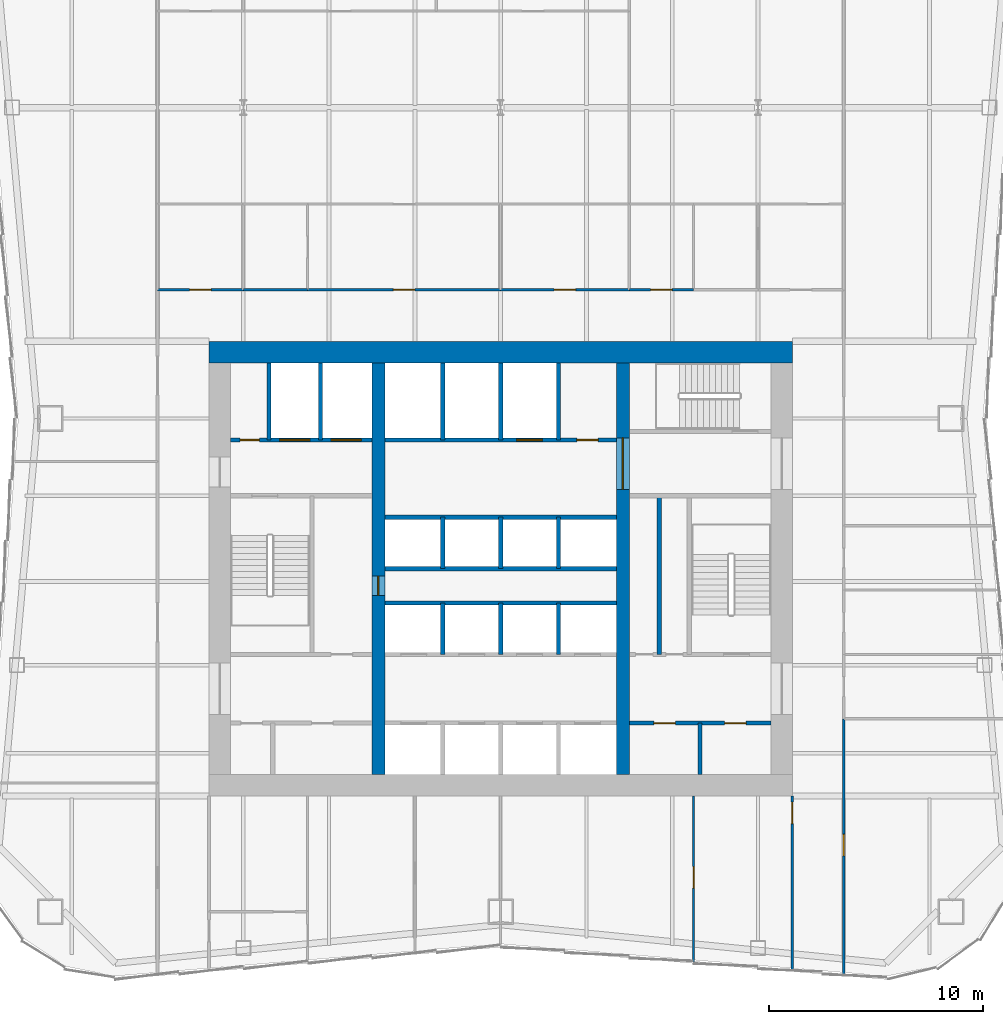
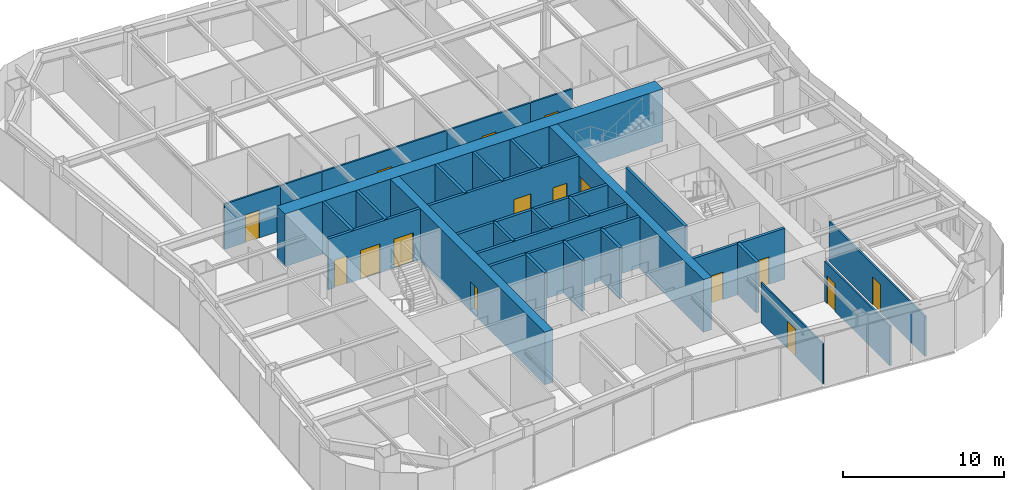
# One storey, part 5 of 9: 30 walls, 16 doors, 16 openings.
"""IFC4 building model written with IfcOpenShell, lengths in metres."""

from ifc_helpers import new_model, si_unit, direction, frame, frame_2d, origin, place, context, subcontext, project, spatial, rectangle, extrude, material, layer, layer_set, type_object, element, fill, save


model = new_model("IFC4")

# Units and contexts
model_context = context("Model", 3, precision=1e-05, world=origin(), true_north=direction((0.0, 1.0)))
body_context = subcontext(model_context, "Body", "Model", "MODEL_VIEW")
ifc_project = project(units=[si_unit("LENGTHUNIT", "METRE"), si_unit("AREAUNIT", "SQUARE_METRE"), si_unit("VOLUMEUNIT", "CUBIC_METRE"), si_unit("PLANEANGLEUNIT", "RADIAN"), si_unit("MASSUNIT", "GRAM", prefix="KILO")], contexts=[model_context])

# Site, building, storey
site_placement = place(None, origin())
site = spatial("IfcSite", under=ifc_project, at=site_placement, CompositionType="ELEMENT")
building_placement = place(site_placement, origin())
building = spatial("IfcBuilding", under=site, at=building_placement, Name="Verdant Reach Tower", CompositionType="ELEMENT")
storey_placement = place(building_placement, frame((0.0, 0.0, 142.0)))
storey = spatial("IfcBuildingStorey", under=building, at=storey_placement, Name="L32", CompositionType="ELEMENT", Elevation=142.0)

# Wall, openings, doors
ifc_material_1 = material(Name="Gypsum board on steel studs", Category="steel")
ifc_layer_1 = layer(ifc_material_1, 0.199951171875)
ifc_layer_set_1 = layer_set([ifc_layer_1], Name="CO-WALL-ROOM")
wall_type_1 = type_object("IfcWallType", Name="CO-WALL-ROOM", PredefinedType="PARTITIONING", material=ifc_layer_set_1)
wall_1_placement = place(storey_placement, frame((6.0, 20.800048828125, 0.0), z_axis=(0.0, 0.0, 1.0), x_axis=(1.0, 0.0, 0.0)))
wall_1 = element("IfcWall", 1, at=wall_1_placement, inside=storey, type_object=wall_type_1, Name="Core partition, L32", PredefinedType="PARTITIONING", context=body_context, shape_type="SweptSolid", body=[
    extrude(rectangle(XDim=6.60009765625, YDim=0.199951171875, at=frame_2d((3.300048828125, 0.0))), origin(), (0.0, 0.0, 1.0), 3.8701171875),
])
opening_1_placement = place(wall_1_placement, frame((1.14990234375, 0.0, 0.0)))
opening_1 = element("IfcOpeningElement", 2, at=opening_1_placement, cuts=wall_1, Name="Opening CD", PredefinedType="OPENING", context=body_context, shape_type="SweptSolid", body=[
    extrude(rectangle(XDim=1.0, YDim=2.10009765625, at=frame_2d((0.5, 1.050048828125))), frame((0.0, 0.10986328125, 0.0), z_axis=(0.0, -1.0, 0.0), x_axis=(1.0, 0.0, 0.0)), (0.0, 0.0, 1.0), 0.219970703125),
])
opening_2_placement = place(wall_1_placement, frame((4.449951171875, 0.0, 0.0)))
opening_2 = element("IfcOpeningElement", 3, at=opening_2_placement, cuts=wall_1, Name="Opening CD", PredefinedType="OPENING", context=body_context, shape_type="SweptSolid", body=[
    extrude(rectangle(XDim=1.0, YDim=2.10009765625, at=frame_2d((0.5, 1.050048828125))), frame((0.0, 0.10986328125, 0.0), z_axis=(0.0, -1.0, 0.0), x_axis=(1.0, 0.0, 0.0)), (0.0, 0.0, 1.0), 0.219970703125),
])
ifc_material_2 = material(Name="Timber", Category="wood")
door_type_1 = type_object("IfcDoorType", Name="CO-DOOR-ROOM", OperationType="NOTDEFINED", PredefinedType="DOOR", material=ifc_material_2)
door_1_placement = place(opening_1_placement, origin())
door_1 = element("IfcDoor", 4, at=door_1_placement, inside=storey, type_object=door_type_1, Name="Core room door, L32", OperationType="SINGLE_SWING_LEFT", OverallHeight=2.10009765625, OverallWidth=1.0, PredefinedType="DOOR", context=body_context, shape_type="SweptSolid", body=[
    extrude(rectangle(XDim=1.0, YDim=2.10009765625, at=frame_2d((0.5, 1.050048828125))), frame((0.0, 0.02490234375, 0.0), z_axis=(0.0, -1.0, 0.0), x_axis=(1.0, 0.0, 0.0)), (0.0, 0.0, 1.0), 0.050048828125),
])
fill(opening_1, door_1)
door_2_placement = place(opening_2_placement, origin())
door_2 = element("IfcDoor", 5, at=door_2_placement, inside=storey, type_object=door_type_1, Name="Core room door, L32", OperationType="SINGLE_SWING_LEFT", OverallHeight=2.10009765625, OverallWidth=1.0, PredefinedType="DOOR", context=body_context, shape_type="SweptSolid", body=[
    extrude(rectangle(XDim=1.0, YDim=2.10009765625, at=frame_2d((0.5, 1.050048828125))), frame((0.0, 0.02490234375, 0.0), z_axis=(0.0, -1.0, 0.0), x_axis=(1.0, 0.0, 0.0)), (0.0, 0.0, 1.0), 0.050048828125),
])
fill(opening_2, door_2)

# Walls
wall_2_placement = place(storey_placement, frame((7.39990234375, 24.0, 0.0), z_axis=(0.0, 0.0, 1.0), x_axis=(0.0, 1.0, 0.0)))
element("IfcWall", 6, at=wall_2_placement, inside=storey, type_object=wall_type_1, Name="Core partition, L32", PredefinedType="PARTITIONING", context=body_context, shape_type="SweptSolid", body=[
    extrude(rectangle(XDim=7.39990234375, YDim=0.199951171875, at=frame_2d((3.699951171875, 0.0))), origin(), (0.0, 0.0, 1.0), 3.8701171875),
])
wall_3_placement = place(storey_placement, frame((9.300048828125, 18.39990234375, 0.0), z_axis=(0.0, 0.0, 1.0), x_axis=(0.0, 1.0, 0.0)))
element("IfcWall", 7, at=wall_3_placement, inside=storey, type_object=wall_type_1, Name="Core partition, L32", PredefinedType="PARTITIONING", context=body_context, shape_type="SweptSolid", body=[
    extrude(rectangle(XDim=2.400146484375, YDim=0.199951171875, at=frame_2d((1.2001953125, 0.0))), origin(), (0.0, 0.0, 1.0), 3.8701171875),
])
ifc_material_3 = material(Name="Concrete C40/50", Category="concrete")
ifc_layer_2 = layer(ifc_material_3, 0.199951171875)
ifc_layer_set_2 = layer_set([ifc_layer_2], Name="CO-WALL-SHAFT")
wall_type_2 = type_object("IfcWallType", Name="CO-WALL-SHAFT", PredefinedType="PARTITIONING", material=ifc_layer_set_2)
for number, where, z_axis, x_axis, name in (
    (8, (-5.39990234375, 26.39990234375, 0.0), (0.0, 0.0, 1.0), (1.0, 0.0, 0.0), "Lift shaft wall, L32"),
    (9, (-5.39990234375, 28.0, 0.0), (0.0, 0.0, 1.0), (1.0, 0.0, 0.0), "Lift shaft wall, L32"),
    (10, (-5.39990234375, 30.39990234375, 0.0), (0.0, 0.0, 1.0), (1.0, 0.0, 0.0), "Lift shaft wall, L32"),
):
    element("IfcWall", number, at=place(storey_placement, frame(where, z_axis=z_axis, x_axis=x_axis)), inside=storey, type_object=wall_type_2, Name=name, PredefinedType="PARTITIONING", context=body_context, shape_type="SweptSolid", body=[
        extrude(rectangle(XDim=10.7998046875, YDim=0.199951171875, at=frame_2d((5.39990234375, 0.0))), origin(), (0.0, 0.0, 1.0), 3.8701171875),
    ])

# Wall, openings, doors
wall_4_placement = place(storey_placement, frame((-12.60009765625, 34.0, 0.0), z_axis=(0.0, 0.0, 1.0), x_axis=(1.0, 0.0, 0.0)))
wall_4 = element("IfcWall", 11, at=wall_4_placement, inside=storey, type_object=wall_type_2, Name="Lift shaft wall, L32", PredefinedType="PARTITIONING", context=body_context, shape_type="SweptSolid", body=[
    extrude(rectangle(XDim=6.60009765625, YDim=0.199951171875, at=frame_2d((3.300048828125, 0.0))), origin(), (0.0, 0.0, 1.0), 3.8701171875),
])
opening_3_placement = place(wall_4_placement, frame((4.699951171875, 0.0, 0.0)))
opening_3 = element("IfcOpeningElement", 12, at=opening_3_placement, cuts=wall_4, Name="Opening LD-F1", PredefinedType="OPENING", context=body_context, shape_type="SweptSolid", body=[
    extrude(rectangle(XDim=1.39990234375, YDim=2.199951171875, at=frame_2d((0.699951171875, 1.10009765625))), frame((0.0, 0.10986328125, 0.0), z_axis=(0.0, -1.0, 0.0), x_axis=(1.0, 0.0, 0.0)), (0.0, 0.0, 1.0), 0.219970703125),
])
opening_4_placement = place(wall_4_placement, frame((2.300048828125, 0.0, 0.0)))
opening_4 = element("IfcOpeningElement", 13, at=opening_4_placement, cuts=wall_4, Name="Opening LD-F2", PredefinedType="OPENING", context=body_context, shape_type="SweptSolid", body=[
    extrude(rectangle(XDim=1.39990234375, YDim=2.199951171875, at=frame_2d((0.699951171875, 1.10009765625))), frame((0.0, 0.10986328125, 0.0), z_axis=(0.0, -1.0, 0.0), x_axis=(1.0, 0.0, 0.0)), (0.0, 0.0, 1.0), 0.219970703125),
])
opening_5_placement = place(wall_4_placement, frame((0.449951171875, 0.0, 0.0)))
opening_5 = element("IfcOpeningElement", 14, at=opening_5_placement, cuts=wall_4, Name="Opening RD", PredefinedType="OPENING", context=body_context, shape_type="SweptSolid", body=[
    extrude(rectangle(XDim=0.89990234375, YDim=2.10009765625, at=frame_2d((0.449951171875, 1.050048828125))), frame((0.0, 0.10986328125, 0.0), z_axis=(0.0, -1.0, 0.0), x_axis=(1.0, 0.0, 0.0)), (0.0, 0.0, 1.0), 0.219970703125),
])
ifc_material_4 = material(Name="Stainless steel", Category="steel")
door_type_2 = type_object("IfcDoorType", Name="CO-DOOR-LANDING-FF", OperationType="SLIDING_TO_LEFT", PredefinedType="DOOR", material=ifc_material_4)
door_3_placement = place(opening_3_placement, origin())
door_3 = element("IfcDoor", 15, at=door_3_placement, inside=storey, type_object=door_type_2, Name="Landing door F1, L32", OperationType="SLIDING_TO_LEFT", OverallHeight=2.199951171875, OverallWidth=1.39990234375, PredefinedType="DOOR", context=body_context, shape_type="SweptSolid", body=[
    extrude(rectangle(XDim=1.39990234375, YDim=2.199951171875, at=frame_2d((0.699951171875, 1.10009765625))), frame((0.0, 0.02490234375, 0.0), z_axis=(0.0, -1.0, 0.0), x_axis=(1.0, 0.0, 0.0)), (0.0, 0.0, 1.0), 0.050048828125),
])
fill(opening_3, door_3)
door_4_placement = place(opening_4_placement, origin())
door_4 = element("IfcDoor", 16, at=door_4_placement, inside=storey, type_object=door_type_2, Name="Landing door F2, L32", OperationType="SLIDING_TO_LEFT", OverallHeight=2.199951171875, OverallWidth=1.39990234375, PredefinedType="DOOR", context=body_context, shape_type="SweptSolid", body=[
    extrude(rectangle(XDim=1.39990234375, YDim=2.199951171875, at=frame_2d((0.699951171875, 1.10009765625))), frame((0.0, 0.02490234375, 0.0), z_axis=(0.0, -1.0, 0.0), x_axis=(1.0, 0.0, 0.0)), (0.0, 0.0, 1.0), 0.050048828125),
])
fill(opening_4, door_4)
ifc_material_5 = material(Name="Steel", Category="steel")
door_type_3 = type_object("IfcDoorType", Name="CO-DOOR-RISER", OperationType="NOTDEFINED", PredefinedType="DOOR", material=ifc_material_5)
door_5_placement = place(opening_5_placement, origin())
door_5 = element("IfcDoor", 17, at=door_5_placement, inside=storey, type_object=door_type_3, Name="Core room door, L32", OperationType="SINGLE_SWING_RIGHT", OverallHeight=2.10009765625, OverallWidth=0.89990234375, PredefinedType="DOOR", context=body_context, shape_type="SweptSolid", body=[
    extrude(rectangle(XDim=0.89990234375, YDim=2.10009765625, at=frame_2d((0.449951171875, 1.050048828125))), frame((0.0, 0.02490234375, 0.0), z_axis=(0.0, -1.0, 0.0), x_axis=(1.0, 0.0, 0.0)), (0.0, 0.0, 1.0), 0.050048828125),
])
fill(opening_5, door_5)

wall_5_placement = place(storey_placement, frame((-5.39990234375, 34.0, 0.0), z_axis=(0.0, 0.0, 1.0), x_axis=(1.0, 0.0, 0.0)))
wall_5 = element("IfcWall", 18, at=wall_5_placement, inside=storey, type_object=wall_type_2, Name="Lift shaft wall, L32", PredefinedType="PARTITIONING", context=body_context, shape_type="SweptSolid", body=[
    extrude(rectangle(XDim=10.7998046875, YDim=0.199951171875, at=frame_2d((5.39990234375, 0.0))), origin(), (0.0, 0.0, 1.0), 3.8701171875),
])
opening_6_placement = place(wall_5_placement, frame((6.14990234375, 0.0, 0.0)))
opening_6 = element("IfcOpeningElement", 19, at=opening_6_placement, cuts=wall_5, Name="Opening LD-SL1", PredefinedType="OPENING", context=body_context, shape_type="SweptSolid", body=[
    extrude(rectangle(XDim=1.199951171875, YDim=2.199951171875, at=frame_2d((0.60009765625, 1.10009765625))), frame((0.0, 0.10986328125, 0.0), z_axis=(0.0, -1.0, 0.0), x_axis=(1.0, 0.0, 0.0)), (0.0, 0.0, 1.0), 0.219970703125),
])
opening_7_placement = place(wall_5_placement, frame((8.949951171875, 0.0, 0.0)))
opening_7 = element("IfcOpeningElement", 20, at=opening_7_placement, cuts=wall_5, Name="Opening CD", PredefinedType="OPENING", context=body_context, shape_type="SweptSolid", body=[
    extrude(rectangle(XDim=1.0, YDim=2.10009765625, at=frame_2d((0.5, 1.050048828125))), frame((0.0, 0.10986328125, 0.0), z_axis=(0.0, -1.0, 0.0), x_axis=(1.0, 0.0, 0.0)), (0.0, 0.0, 1.0), 0.219970703125),
])
door_type_4 = type_object("IfcDoorType", Name="CO-DOOR-LANDING", OperationType="SLIDING_TO_LEFT", PredefinedType="DOOR", material=ifc_material_4)
door_6_placement = place(opening_6_placement, origin())
door_6 = element("IfcDoor", 21, at=door_6_placement, inside=storey, type_object=door_type_4, Name="Landing door SL1, L32", OperationType="SLIDING_TO_LEFT", OverallHeight=2.199951171875, OverallWidth=1.199951171875, PredefinedType="DOOR", context=body_context, shape_type="SweptSolid", body=[
    extrude(rectangle(XDim=1.199951171875, YDim=2.199951171875, at=frame_2d((0.60009765625, 1.10009765625))), frame((0.0, 0.02490234375, 0.0), z_axis=(0.0, -1.0, 0.0), x_axis=(1.0, 0.0, 0.0)), (0.0, 0.0, 1.0), 0.050048828125),
])
fill(opening_6, door_6)
door_7_placement = place(opening_7_placement, origin())
door_7 = element("IfcDoor", 22, at=door_7_placement, inside=storey, type_object=door_type_1, Name="Core room door, L32", OperationType="SINGLE_SWING_LEFT", OverallHeight=2.10009765625, OverallWidth=1.0, PredefinedType="DOOR", context=body_context, shape_type="SweptSolid", body=[
    extrude(rectangle(XDim=1.0, YDim=2.10009765625, at=frame_2d((0.5, 1.050048828125))), frame((0.0, 0.02490234375, 0.0), z_axis=(0.0, -1.0, 0.0), x_axis=(1.0, 0.0, 0.0)), (0.0, 0.0, 1.0), 0.050048828125),
])
fill(opening_7, door_7)

# Walls
for number, where, z_axis, x_axis, name in (
    (23, (-10.800048828125, 34.0, 0.0), (0.0, 0.0, 1.0), (0.0, 1.0, 0.0), "Lift shaft wall, L32"),
    (24, (-8.39990234375, 34.0, 0.0), (0.0, 0.0, 1.0), (0.0, 1.0, 0.0), "Lift shaft wall, L32"),
):
    element("IfcWall", number, at=place(storey_placement, frame(where, z_axis=z_axis, x_axis=x_axis)), inside=storey, type_object=wall_type_2, Name=name, PredefinedType="PARTITIONING", context=body_context, shape_type="SweptSolid", body=[
        extrude(rectangle(XDim=3.60009765625, YDim=0.199951171875, at=frame_2d((1.800048828125, 0.0))), origin(), (0.0, 0.0, 1.0), 3.8701171875),
    ])
for number, where, z_axis, x_axis, name in (
    (25, (-2.699951171875, 24.0, 0.0), (0.0, 0.0, 1.0), (0.0, 1.0, 0.0), "Lift shaft wall, L32"),
    (26, (-2.699951171875, 28.0, 0.0), (0.0, 0.0, 1.0), (0.0, 1.0, 0.0), "Lift shaft wall, L32"),
):
    element("IfcWall", number, at=place(storey_placement, frame(where, z_axis=z_axis, x_axis=x_axis)), inside=storey, type_object=wall_type_2, Name=name, PredefinedType="PARTITIONING", context=body_context, shape_type="SweptSolid", body=[
        extrude(rectangle(XDim=2.39990234375, YDim=0.199951171875, at=frame_2d((1.199951171875, 0.0))), origin(), (0.0, 0.0, 1.0), 3.8701171875),
    ])
wall_6_placement = place(storey_placement, frame((-2.699951171875, 34.0, 0.0), z_axis=(0.0, 0.0, 1.0), x_axis=(0.0, 1.0, 0.0)))
element("IfcWall", 27, at=wall_6_placement, inside=storey, type_object=wall_type_2, Name="Lift shaft wall, L32", PredefinedType="PARTITIONING", context=body_context, shape_type="SweptSolid", body=[
    extrude(rectangle(XDim=3.60009765625, YDim=0.199951171875, at=frame_2d((1.800048828125, 0.0))), origin(), (0.0, 0.0, 1.0), 3.8701171875),
])
for number, where, z_axis, x_axis, name in (
    (28, (0.0, 24.0, 0.0), (0.0, 0.0, 1.0), (0.0, 1.0, 0.0), "Lift shaft wall, L32"),
    (29, (0.0, 28.0, 0.0), (0.0, 0.0, 1.0), (0.0, 1.0, 0.0), "Lift shaft wall, L32"),
):
    element("IfcWall", number, at=place(storey_placement, frame(where, z_axis=z_axis, x_axis=x_axis)), inside=storey, type_object=wall_type_2, Name=name, PredefinedType="PARTITIONING", context=body_context, shape_type="SweptSolid", body=[
        extrude(rectangle(XDim=2.39990234375, YDim=0.199951171875, at=frame_2d((1.199951171875, 0.0))), origin(), (0.0, 0.0, 1.0), 3.8701171875),
    ])
wall_7_placement = place(storey_placement, frame((0.0, 34.0, 0.0), z_axis=(0.0, 0.0, 1.0), x_axis=(0.0, 1.0, 0.0)))
element("IfcWall", 30, at=wall_7_placement, inside=storey, type_object=wall_type_2, Name="Lift shaft wall, L32", PredefinedType="PARTITIONING", context=body_context, shape_type="SweptSolid", body=[
    extrude(rectangle(XDim=3.60009765625, YDim=0.199951171875, at=frame_2d((1.800048828125, 0.0))), origin(), (0.0, 0.0, 1.0), 3.8701171875),
])
for number, where, z_axis, x_axis, name in (
    (31, (2.699951171875, 24.0, 0.0), (0.0, 0.0, 1.0), (0.0, 1.0, 0.0), "Lift shaft wall, L32"),
    (32, (2.699951171875, 28.0, 0.0), (0.0, 0.0, 1.0), (0.0, 1.0, 0.0), "Lift shaft wall, L32"),
):
    element("IfcWall", number, at=place(storey_placement, frame(where, z_axis=z_axis, x_axis=x_axis)), inside=storey, type_object=wall_type_2, Name=name, PredefinedType="PARTITIONING", context=body_context, shape_type="SweptSolid", body=[
        extrude(rectangle(XDim=2.39990234375, YDim=0.199951171875, at=frame_2d((1.199951171875, 0.0))), origin(), (0.0, 0.0, 1.0), 3.8701171875),
    ])
wall_8_placement = place(storey_placement, frame((2.699951171875, 34.0, 0.0), z_axis=(0.0, 0.0, 1.0), x_axis=(0.0, 1.0, 0.0)))
element("IfcWall", 33, at=wall_8_placement, inside=storey, type_object=wall_type_2, Name="Lift shaft wall, L32", PredefinedType="PARTITIONING", context=body_context, shape_type="SweptSolid", body=[
    extrude(rectangle(XDim=3.60009765625, YDim=0.199951171875, at=frame_2d((1.800048828125, 0.0))), origin(), (0.0, 0.0, 1.0), 3.8701171875),
])

# Wall, opening, door
ifc_layer_3 = layer(ifc_material_1, 0.10009765625)
ifc_layer_set_3 = layer_set([ifc_layer_3], Name="FL-W1 Partition 100")
wall_type_3 = type_object("IfcWallType", Name="FL-W1 Partition 100", PredefinedType="PARTITIONING", material=ifc_layer_set_3)
wall_9_placement = place(storey_placement, frame((9.0, 9.669921875, 0.0), z_axis=(0.0, 0.0, 1.0), x_axis=(0.0, 1.0, 0.0)))
wall_9 = element("IfcWall", 34, at=wall_9_placement, inside=storey, type_object=wall_type_3, Name="Partition 32.36", PredefinedType="PARTITIONING", context=body_context, shape_type="SweptSolid", body=[
    extrude(rectangle(XDim=7.72998046875, YDim=0.10009765625, at=frame_2d((3.864990234375, 0.0))), origin(), (0.0, 0.0, 1.0), 3.0400390625),
])
opening_8_placement = place(wall_9_placement, frame((3.43017578125, 0.0, 0.0)))
opening_8 = element("IfcOpeningElement", 35, at=opening_8_placement, cuts=wall_9, Name="Opening D3", PredefinedType="OPENING", context=body_context, shape_type="SweptSolid", body=[
    extrude(rectangle(XDim=1.0, YDim=2.10009765625, at=frame_2d((0.5, 1.050048828125))), frame((0.0, 0.06005859375, 0.0), z_axis=(0.0, -1.0, 0.0), x_axis=(1.0, 0.0, 0.0)), (0.0, 0.0, 1.0), 0.1201171875),
])
ifc_material_6 = material(Name="Painted timber door leaf", Category="wood")
door_type_5 = type_object("IfcDoorType", Name="FL-D3 Door 1000x2100", OperationType="NOTDEFINED", PredefinedType="DOOR", material=ifc_material_6)
door_8_placement = place(opening_8_placement, origin())
door_8 = element("IfcDoor", 36, at=door_8_placement, inside=storey, type_object=door_type_5, Name="Door 32-019", OperationType="SINGLE_SWING_RIGHT", OverallHeight=2.10009765625, OverallWidth=1.0, PredefinedType="DOOR", context=body_context, shape_type="SweptSolid", body=[
    extrude(rectangle(XDim=1.0, YDim=2.10009765625, at=frame_2d((0.5, 1.050048828125))), frame((0.0, 0.02490234375, 0.0), z_axis=(0.0, -1.0, 0.0), x_axis=(1.0, 0.0, 0.0)), (0.0, 0.0, 1.0), 0.050048828125),
])
fill(opening_8, door_8)

ifc_material_7 = material(Name="Gypsum board on steel studs, fire rated", Category="steel")
ifc_layer_4 = layer(ifc_material_7, 0.125)
ifc_layer_set_4 = layer_set([ifc_layer_4], Name="FL-W2 Corridor wall 125")
wall_type_4 = type_object("IfcWallType", Name="FL-W2 Corridor wall 125", PredefinedType="PARTITIONING", material=ifc_layer_set_4)
wall_10_placement = place(storey_placement, frame((16.0, 21.0, 0.0), z_axis=(0.0, 0.0, 1.0), x_axis=(0.0, -1.0, 0.0)))
wall_10 = element("IfcWall", 37, at=wall_10_placement, inside=storey, type_object=wall_type_4, Name="Partition 32.04", PredefinedType="PARTITIONING", context=body_context, shape_type="SweptSolid", body=[
    extrude(rectangle(XDim=11.913330078125, YDim=0.125, at=frame_2d((5.95654296875, 0.0))), origin(), (0.0, 0.0, 1.0), 3.0400390625),
])
opening_9_placement = place(wall_10_placement, frame((5.3916015625, 0.0, 0.0)))
opening_9 = element("IfcOpeningElement", 38, at=opening_9_placement, cuts=wall_10, Name="Opening D2", PredefinedType="OPENING", context=body_context, shape_type="SweptSolid", body=[
    extrude(rectangle(XDim=1.0, YDim=2.10009765625, at=frame_2d((0.5, 1.050048828125))), frame((0.0, 0.072509765625, 0.0), z_axis=(0.0, -1.0, 0.0), x_axis=(1.0, 0.0, 0.0)), (0.0, 0.0, 1.0), 0.14501953125),
])
ifc_material_8 = material(Name="Timber door leaf, fire rated", Category="wood")
door_type_6 = type_object("IfcDoorType", Name="FL-D2 Entrance door 1000x2100 FD30", OperationType="NOTDEFINED", PredefinedType="DOOR", material=ifc_material_8)
door_9_placement = place(opening_9_placement, origin())
door_9 = element("IfcDoor", 39, at=door_9_placement, inside=storey, type_object=door_type_6, Name="Door 32-004", OperationType="SINGLE_SWING_LEFT", OverallHeight=2.10009765625, OverallWidth=1.0, PredefinedType="DOOR", context=body_context, shape_type="SweptSolid", body=[
    extrude(rectangle(XDim=1.0, YDim=2.10009765625, at=frame_2d((0.5, 1.050048828125))), frame((0.0, 0.02490234375, 0.0), z_axis=(0.0, -1.0, 0.0), x_axis=(1.0, 0.0, 0.0)), (0.0, 0.0, 1.0), 0.050048828125),
])
fill(opening_9, door_9)

wall_11_placement = place(storey_placement, frame((13.60009765625, 9.28662109375, 0.0), z_axis=(0.0, 0.0, 1.0), x_axis=(0.0, 1.0, 0.0)))
wall_11 = element("IfcWall", 40, at=wall_11_placement, inside=storey, type_object=wall_type_4, Name="Partition 32.11", PredefinedType="PARTITIONING", context=body_context, shape_type="SweptSolid", body=[
    extrude(rectangle(XDim=8.11328125, YDim=0.125, at=frame_2d((4.056640625, 0.0))), origin(), (0.0, 0.0, 1.0), 3.0400390625),
])
opening_10_placement = place(wall_11_placement, frame((6.82177734375, 0.0, 0.0)))
opening_10 = element("IfcOpeningElement", 41, at=opening_10_placement, cuts=wall_11, Name="Opening D2", PredefinedType="OPENING", context=body_context, shape_type="SweptSolid", body=[
    extrude(rectangle(XDim=1.0, YDim=2.10009765625, at=frame_2d((0.5, 1.050048828125))), frame((0.0, 0.072509765625, 0.0), z_axis=(0.0, -1.0, 0.0), x_axis=(1.0, 0.0, 0.0)), (0.0, 0.0, 1.0), 0.14501953125),
])
door_10_placement = place(opening_10_placement, origin())
door_10 = element("IfcDoor", 42, at=door_10_placement, inside=storey, type_object=door_type_6, Name="Door 32-010", OperationType="SINGLE_SWING_RIGHT", OverallHeight=2.10009765625, OverallWidth=1.0, PredefinedType="DOOR", context=body_context, shape_type="SweptSolid", body=[
    extrude(rectangle(XDim=1.0, YDim=2.10009765625, at=frame_2d((0.5, 1.050048828125))), frame((0.0, 0.02490234375, 0.0), z_axis=(0.0, -1.0, 0.0), x_axis=(1.0, 0.0, 0.0)), (0.0, 0.0, 1.0), 0.050048828125),
])
fill(opening_10, door_10)

wall_12_placement = place(storey_placement, frame((-16.0, 41.0, 0.0), z_axis=(0.0, 0.0, 1.0), x_axis=(1.0, 0.0, 0.0)))
wall_12 = element("IfcWall", 43, at=wall_12_placement, inside=storey, type_object=wall_type_4, Name="Partition 32.12", PredefinedType="PARTITIONING", context=body_context, shape_type="SweptSolid", body=[
    extrude(rectangle(XDim=4.0, YDim=0.125, at=frame_2d((2.0, 0.0))), origin(), (0.0, 0.0, 1.0), 3.43994140625),
])
opening_11_placement = place(wall_12_placement, frame((1.5, 0.0, 0.0)))
opening_11 = element("IfcOpeningElement", 44, at=opening_11_placement, cuts=wall_12, Name="Opening D2", PredefinedType="OPENING", context=body_context, shape_type="SweptSolid", body=[
    extrude(rectangle(XDim=1.0, YDim=2.10009765625, at=frame_2d((0.5, 1.050048828125))), frame((0.0, 0.072509765625, 0.0), z_axis=(0.0, -1.0, 0.0), x_axis=(1.0, 0.0, 0.0)), (0.0, 0.0, 1.0), 0.14501953125),
])
door_11_placement = place(opening_11_placement, origin())
door_11 = element("IfcDoor", 45, at=door_11_placement, inside=storey, type_object=door_type_6, Name="Door 32-011", OperationType="SINGLE_SWING_LEFT", OverallHeight=2.10009765625, OverallWidth=1.0, PredefinedType="DOOR", context=body_context, shape_type="SweptSolid", body=[
    extrude(rectangle(XDim=1.0, YDim=2.10009765625, at=frame_2d((0.5, 1.050048828125))), frame((0.0, 0.02490234375, 0.0), z_axis=(0.0, -1.0, 0.0), x_axis=(1.0, 0.0, 0.0)), (0.0, 0.0, 1.0), 0.050048828125),
])
fill(opening_11, door_11)

# Wall
wall_13_placement = place(storey_placement, frame((-9.0, 41.0, 0.0), z_axis=(0.0, 0.0, 1.0), x_axis=(-1.0, 0.0, 0.0)))
element("IfcWall", 46, at=wall_13_placement, inside=storey, type_object=wall_type_4, Name="Partition 32.13", PredefinedType="PARTITIONING", context=body_context, shape_type="SweptSolid", body=[
    extrude(rectangle(XDim=3.0, YDim=0.125, at=frame_2d((1.5, 0.0))), origin(), (0.0, 0.0, 1.0), 3.43994140625),
])

# Wall, opening, door
wall_14_placement = place(storey_placement, frame((-9.0, 41.0, 0.0), z_axis=(0.0, 0.0, 1.0), x_axis=(1.0, 0.0, 0.0)))
wall_14 = element("IfcWall", 47, at=wall_14_placement, inside=storey, type_object=wall_type_4, Name="Partition 32.14", PredefinedType="PARTITIONING", context=body_context, shape_type="SweptSolid", body=[
    extrude(rectangle(XDim=9.0, YDim=0.125, at=frame_2d((4.5, 0.0))), origin(), (0.0, 0.0, 1.0), 3.43994140625),
])
opening_12_placement = place(wall_14_placement, frame((4.0, 0.0, 0.0)))
opening_12 = element("IfcOpeningElement", 48, at=opening_12_placement, cuts=wall_14, Name="Opening D2", PredefinedType="OPENING", context=body_context, shape_type="SweptSolid", body=[
    extrude(rectangle(XDim=1.0, YDim=2.10009765625, at=frame_2d((0.5, 1.050048828125))), frame((0.0, 0.072509765625, 0.0), z_axis=(0.0, -1.0, 0.0), x_axis=(1.0, 0.0, 0.0)), (0.0, 0.0, 1.0), 0.14501953125),
])
door_12_placement = place(opening_12_placement, origin())
door_12 = element("IfcDoor", 49, at=door_12_placement, inside=storey, type_object=door_type_6, Name="Door 32-012", OperationType="SINGLE_SWING_RIGHT", OverallHeight=2.10009765625, OverallWidth=1.0, PredefinedType="DOOR", context=body_context, shape_type="SweptSolid", body=[
    extrude(rectangle(XDim=1.0, YDim=2.10009765625, at=frame_2d((0.5, 1.050048828125))), frame((0.0, 0.02490234375, 0.0), z_axis=(0.0, -1.0, 0.0), x_axis=(1.0, 0.0, 0.0)), (0.0, 0.0, 1.0), 0.050048828125),
])
fill(opening_12, door_12)

wall_15_placement = place(storey_placement, frame((0.0, 41.0, 0.0), z_axis=(0.0, 0.0, 1.0), x_axis=(1.0, 0.0, 0.0)))
wall_15 = element("IfcWall", 50, at=wall_15_placement, inside=storey, type_object=wall_type_4, Name="Partition 32.15", PredefinedType="PARTITIONING", context=body_context, shape_type="SweptSolid", body=[
    extrude(rectangle(XDim=6.0, YDim=0.125, at=frame_2d((3.0, 0.0))), origin(), (0.0, 0.0, 1.0), 3.43994140625),
])
opening_13_placement = place(wall_15_placement, frame((2.5, 0.0, 0.0)))
opening_13 = element("IfcOpeningElement", 51, at=opening_13_placement, cuts=wall_15, Name="Opening D2", PredefinedType="OPENING", context=body_context, shape_type="SweptSolid", body=[
    extrude(rectangle(XDim=1.0, YDim=2.10009765625, at=frame_2d((0.5, 1.050048828125))), frame((0.0, 0.072509765625, 0.0), z_axis=(0.0, -1.0, 0.0), x_axis=(1.0, 0.0, 0.0)), (0.0, 0.0, 1.0), 0.14501953125),
])
door_13_placement = place(opening_13_placement, origin())
door_13 = element("IfcDoor", 52, at=door_13_placement, inside=storey, type_object=door_type_6, Name="Door 32-013", OperationType="SINGLE_SWING_LEFT", OverallHeight=2.10009765625, OverallWidth=1.0, PredefinedType="DOOR", context=body_context, shape_type="SweptSolid", body=[
    extrude(rectangle(XDim=1.0, YDim=2.10009765625, at=frame_2d((0.5, 1.050048828125))), frame((0.0, 0.02490234375, 0.0), z_axis=(0.0, -1.0, 0.0), x_axis=(1.0, 0.0, 0.0)), (0.0, 0.0, 1.0), 0.050048828125),
])
fill(opening_13, door_13)

wall_16_placement = place(storey_placement, frame((6.0, 41.0, 0.0), z_axis=(0.0, 0.0, 1.0), x_axis=(1.0, 0.0, 0.0)))
wall_16 = element("IfcWall", 53, at=wall_16_placement, inside=storey, type_object=wall_type_4, Name="Partition 32.16", PredefinedType="PARTITIONING", context=body_context, shape_type="SweptSolid", body=[
    extrude(rectangle(XDim=3.0, YDim=0.125, at=frame_2d((1.5, 0.0))), origin(), (0.0, 0.0, 1.0), 3.43994140625),
])
opening_14_placement = place(wall_16_placement, frame((1.0, 0.0, 0.0)))
opening_14 = element("IfcOpeningElement", 54, at=opening_14_placement, cuts=wall_16, Name="Opening D2", PredefinedType="OPENING", context=body_context, shape_type="SweptSolid", body=[
    extrude(rectangle(XDim=1.0, YDim=2.10009765625, at=frame_2d((0.5, 1.050048828125))), frame((0.0, 0.072509765625, 0.0), z_axis=(0.0, -1.0, 0.0), x_axis=(1.0, 0.0, 0.0)), (0.0, 0.0, 1.0), 0.14501953125),
])
door_14_placement = place(opening_14_placement, origin())
door_14 = element("IfcDoor", 55, at=door_14_placement, inside=storey, type_object=door_type_6, Name="Door 32-014", OperationType="SINGLE_SWING_RIGHT", OverallHeight=2.10009765625, OverallWidth=1.0, PredefinedType="DOOR", context=body_context, shape_type="SweptSolid", body=[
    extrude(rectangle(XDim=1.0, YDim=2.10009765625, at=frame_2d((0.5, 1.050048828125))), frame((0.0, 0.02490234375, 0.0), z_axis=(0.0, -1.0, 0.0), x_axis=(1.0, 0.0, 0.0)), (0.0, 0.0, 1.0), 0.050048828125),
])
fill(opening_14, door_14)

# Wall
ifc_material_9 = material(Name="Concrete C70/85", Category="concrete")
ifc_layer_5 = layer(ifc_material_9, 1.0)
ifc_layer_set_5 = layer_set([ifc_layer_5], Name="ST-CORE-WALL-1000")
wall_type_5 = type_object("IfcWallType", Name="ST-CORE-WALL-1000", PredefinedType="SHEAR", material=ifc_layer_set_5)
wall_17_placement = place(storey_placement, frame((-13.60009765625, 38.10009765625, -0.1298828125), z_axis=(0.0, 0.0, 1.0), x_axis=(1.0, 0.0, 0.0)))
element("IfcWall", 56, at=wall_17_placement, inside=storey, type_object=wall_type_5, Name="Core wall N, L32", PredefinedType="SHEAR", context=body_context, shape_type="SweptSolid", body=[
    extrude(rectangle(XDim=27.2001953125, YDim=1.0, at=frame_2d((13.60009765625, 0.0))), origin(), (0.0, 0.0, 1.0), 4.0),
])

# Wall, opening, door
ifc_layer_6 = layer(ifc_material_9, 0.60009765625)
ifc_layer_set_6 = layer_set([ifc_layer_6], Name="ST-CORE-WALL-600")
wall_type_6 = type_object("IfcWallType", Name="ST-CORE-WALL-600", PredefinedType="SHEAR", material=ifc_layer_set_6)
wall_18_placement = place(storey_placement, frame((-5.699951171875, 18.39990234375, -0.1298828125), z_axis=(0.0, 0.0, 1.0), x_axis=(0.0, 1.0, 0.0)))
wall_18 = element("IfcWall", 57, at=wall_18_placement, inside=storey, type_object=wall_type_6, Name="Core wall XW, L32", PredefinedType="SHEAR", context=body_context, shape_type="SweptSolid", body=[
    extrude(rectangle(XDim=19.2001953125, YDim=0.60009765625, at=frame_2d((9.60009765625, 0.0))), origin(), (0.0, 0.0, 1.0), 4.0),
])
opening_15_placement = place(wall_18_placement, frame((8.35009765625, 0.0, 0.1298828125)))
opening_15 = element("IfcOpeningElement", 58, at=opening_15_placement, cuts=wall_18, Name="Opening RD", PredefinedType="OPENING", context=body_context, shape_type="SweptSolid", body=[
    extrude(rectangle(XDim=0.89990234375, YDim=2.10009765625, at=frame_2d((0.449951171875, 1.050048828125))), frame((0.0, 0.31005859375, 0.0), z_axis=(0.0, -1.0, 0.0), x_axis=(1.0, 0.0, 0.0)), (0.0, 0.0, 1.0), 0.6201171875),
])
door_15_placement = place(opening_15_placement, origin())
door_15 = element("IfcDoor", 59, at=door_15_placement, inside=storey, type_object=door_type_3, Name="Riser door, L32", OperationType="SINGLE_SWING_LEFT", OverallHeight=2.10009765625, OverallWidth=0.89990234375, PredefinedType="DOOR", context=body_context, shape_type="SweptSolid", body=[
    extrude(rectangle(XDim=0.89990234375, YDim=2.10009765625, at=frame_2d((0.449951171875, 1.050048828125))), frame((0.0, 0.02490234375, 0.0), z_axis=(0.0, -1.0, 0.0), x_axis=(1.0, 0.0, 0.0)), (0.0, 0.0, 1.0), 0.050048828125),
])
fill(opening_15, door_15)

wall_19_placement = place(storey_placement, frame((5.699951171875, 18.39990234375, -0.1298828125), z_axis=(0.0, 0.0, 1.0), x_axis=(0.0, 1.0, 0.0)))
wall_19 = element("IfcWall", 60, at=wall_19_placement, inside=storey, type_object=wall_type_6, Name="Core wall XE, L32", PredefinedType="SHEAR", context=body_context, shape_type="SweptSolid", body=[
    extrude(rectangle(XDim=19.2001953125, YDim=0.60009765625, at=frame_2d((9.60009765625, 0.0))), origin(), (0.0, 0.0, 1.0), 4.0),
])
opening_16_placement = place(wall_19_placement, frame((13.300048828125, 0.0, 0.1298828125)))
opening_16 = element("IfcOpeningElement", 61, at=opening_16_placement, cuts=wall_19, Name="Opening LB", PredefinedType="OPENING", context=body_context, shape_type="SweptSolid", body=[
    extrude(rectangle(XDim=2.39990234375, YDim=2.39990234375, at=frame_2d((1.199951171875, 1.199951171875))), frame((0.0, 0.31005859375, 0.0), z_axis=(0.0, -1.0, 0.0), x_axis=(1.0, 0.0, 0.0)), (0.0, 0.0, 1.0), 0.6201171875),
])
ifc_material_10 = material(Name="Glass and steel", Category="steel")
door_type_7 = type_object("IfcDoorType", Name="CO-DOOR-LOBBY", OperationType="DOUBLE_DOOR_SINGLE_SWING", PredefinedType="DOOR", material=ifc_material_10)
door_16_placement = place(opening_16_placement, origin())
door_16 = element("IfcDoor", 62, at=door_16_placement, inside=storey, type_object=door_type_7, Name="Core entrance door, L32", OperationType="DOUBLE_DOOR_SINGLE_SWING", OverallHeight=2.39990234375, OverallWidth=2.39990234375, PredefinedType="DOOR", context=body_context, shape_type="SweptSolid", body=[
    extrude(rectangle(XDim=2.39990234375, YDim=2.39990234375, at=frame_2d((1.199951171875, 1.199951171875))), frame((0.0, 0.02490234375, 0.0), z_axis=(0.0, -1.0, 0.0), x_axis=(1.0, 0.0, 0.0)), (0.0, 0.0, 1.0), 0.050048828125),
])
fill(opening_16, door_16)

save(model, "model.ifc")
